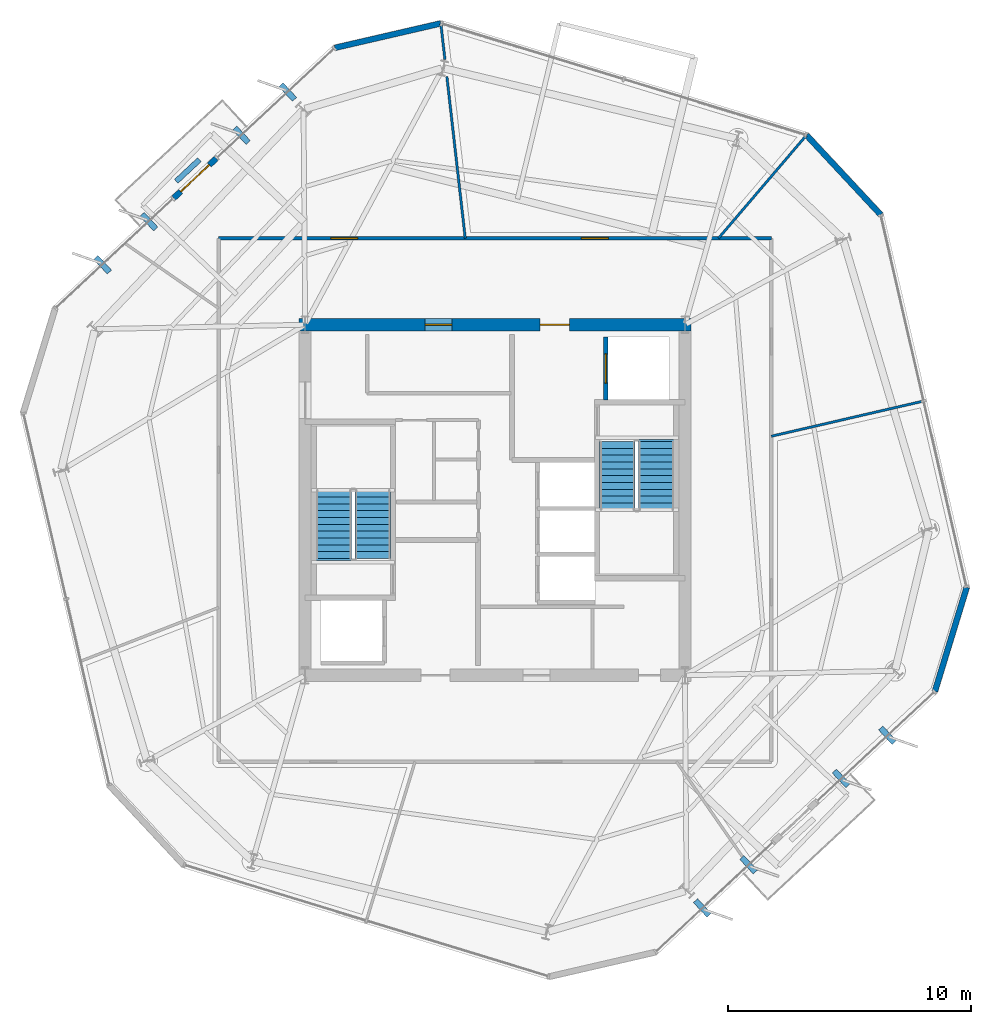
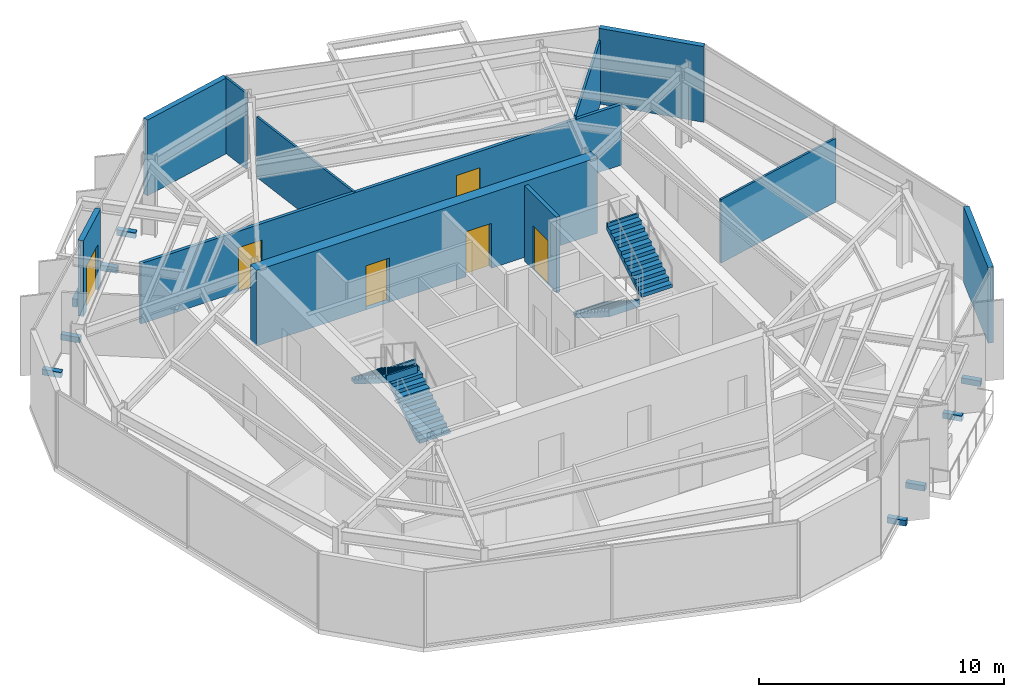
# One storey, part 8 of 11: 12 walls, 8 discrete accessories, 6 doors, 4 stair flights, 6 openings, 2 elements without a shape of their own.
"""IFC4 building model written with IfcOpenShell, lengths in metres."""

from ifc_helpers import new_model, si_unit, direction, frame, frame_2d, origin, origin_2d, place, context, subcontext, project, spatial, polyline, rectangle, outline, extrude, material, layer, layer_set, type_object, element, fill, aggregate, save


model = new_model("IFC4")

# Units and contexts
model_context = context("Model", 3, precision=1e-05, world=origin(), true_north=direction((0.0, 1.0)))
body_context = subcontext(model_context, "Body", "Model", "MODEL_VIEW")
ifc_project = project(units=[si_unit("LENGTHUNIT", "METRE"), si_unit("AREAUNIT", "SQUARE_METRE"), si_unit("VOLUMEUNIT", "CUBIC_METRE"), si_unit("PLANEANGLEUNIT", "RADIAN"), si_unit("MASSUNIT", "GRAM", prefix="KILO")], contexts=[model_context])

# Site, building, storey
site_placement = place(None, origin())
site = spatial("IfcSite", under=ifc_project, at=site_placement, CompositionType="ELEMENT")
building_placement = place(site_placement, origin())
building = spatial("IfcBuilding", under=site, at=building_placement, Name="Kranzbogen Civic Tower", CompositionType="ELEMENT")
storey_placement = place(building_placement, frame((0.0, 0.0, 196.800048828125)))
storey = spatial("IfcBuildingStorey", under=building, at=storey_placement, Name="L47", CompositionType="ELEMENT", Elevation=196.800048828125)

# Wall, openings, doors
ifc_material_1 = material(Name="Double-Stud Acoustic Gypsum Partition")
ifc_layer_1 = layer(ifc_material_1, 0.14990234375, Name="Double-Stud Acoustic Gypsum Partition")
ifc_layer_set_1 = layer_set([ifc_layer_1], Name="Double-Stud Acoustic Gypsum Partition")
wall_type_1 = type_object("IfcWallType", Name="Acoustic Corridor and Clinical Partition 150 mm", PredefinedType="PARTITIONING", material=ifc_layer_set_1)
wall_1_placement = place(storey_placement, frame((13.64990234375, 35.75, 0.0), z_axis=(0.0, 0.0, 1.0), x_axis=(1.0, 0.0, 0.0)))
wall_1 = element("IfcWall", 1, at=wall_1_placement, inside=storey, type_object=wall_type_1, Name="L47 corridor partition 01", PredefinedType="PARTITIONING", context=body_context, shape_type="SweptSolid", body=[
    extrude(rectangle(XDim=22.7001953125, YDim=0.14990234375, at=frame_2d((11.35009765625, 0.0))), origin(), (0.0, 0.0, 1.0), 3.02001953125),
])
opening_1_placement = place(wall_1_placement, frame((14.90087890625, 0.0, 0.0)))
opening_1 = element("IfcOpeningElement", 2, at=opening_1_placement, cuts=wall_1, Name="Opening D-COR60", PredefinedType="OPENING", context=body_context, shape_type="SweptSolid", body=[
    extrude(rectangle(XDim=1.10009765625, YDim=2.199951171875, at=frame_2d((0.550048828125, 1.10009765625))), frame((0.0, 0.0849609375, 0.0), z_axis=(0.0, -1.0, 0.0), x_axis=(1.0, 0.0, 0.0)), (0.0, 0.0, 1.0), 0.169921875),
])
opening_2_placement = place(wall_1_placement, frame((4.60400390625, 0.0, 0.0)))
opening_2 = element("IfcOpeningElement", 3, at=opening_2_placement, cuts=wall_1, Name="Opening D-COR60", PredefinedType="OPENING", context=body_context, shape_type="SweptSolid", body=[
    extrude(rectangle(XDim=1.10009765625, YDim=2.199951171875, at=frame_2d((0.550048828125, 1.10009765625))), frame((0.0, 0.0849609375, 0.0), z_axis=(0.0, -1.0, 0.0), x_axis=(1.0, 0.0, 0.0)), (0.0, 0.0, 1.0), 0.169921875),
])
ifc_material_2 = material(Name="Oak Timber and Fire Core", Category="wood")
door_type_1 = type_object("IfcDoorType", Name="Corridor Acoustic Fire Door 1100x2200", OperationType="NOTDEFINED", PredefinedType="DOOR", material=ifc_material_2)
door_1_placement = place(opening_1_placement, origin())
door_1 = element("IfcDoor", 4, at=door_1_placement, inside=storey, type_object=door_type_1, Name="L47 Licensing Information Kiosk door", OperationType="SINGLE_SWING_RIGHT", OverallHeight=2.199951171875, OverallWidth=1.10009765625, PredefinedType="DOOR", context=body_context, shape_type="SweptSolid", body=[
    extrude(rectangle(XDim=1.10009765625, YDim=2.199951171875, at=frame_2d((0.550048828125, 1.10009765625))), frame((0.0, 0.02490234375, 0.0), z_axis=(0.0, -1.0, 0.0), x_axis=(1.0, 0.0, 0.0)), (0.0, 0.0, 1.0), 0.050048828125),
])
fill(opening_1, door_1)
door_2_placement = place(opening_2_placement, origin())
door_2 = element("IfcDoor", 5, at=door_2_placement, inside=storey, type_object=door_type_1, Name="L47 Ministerial Policy Office door", OperationType="SINGLE_SWING_LEFT", OverallHeight=2.199951171875, OverallWidth=1.10009765625, PredefinedType="DOOR", context=body_context, shape_type="SweptSolid", body=[
    extrude(rectangle(XDim=1.10009765625, YDim=2.199951171875, at=frame_2d((0.550048828125, 1.10009765625))), frame((0.0, 0.02490234375, 0.0), z_axis=(0.0, -1.0, 0.0), x_axis=(1.0, 0.0, 0.0)), (0.0, 0.0, 1.0), 0.050048828125),
])
fill(opening_2, door_2)

# Wall
ifc_material_3 = material(Name="Architectural Precast Terracotta Concrete C40/50", Category="masonry")
ifc_layer_2 = layer(ifc_material_3, 0.219970703125, Name="Architectural Precast Terracotta Concrete C40/50")
ifc_layer_set_2 = layer_set([ifc_layer_2], Name="Architectural Precast Terracotta Concrete C40/50")
wall_type_2 = type_object("IfcWallType", Name="Architectural Tree Planter Kerb Wall 220 mm", PredefinedType="USERDEFINED", material=ifc_layer_set_2)
wall_2_placement = place(storey_placement, frame((12.85498046875, 38.97705078125, 0.0), z_axis=(0.0, 0.0, 1.0), x_axis=(-0.731298971401, -0.682057046315, 0.0)))
element("IfcWall", 6, at=wall_2_placement, inside=storey, type_object=wall_type_2, Name="L47 landscaped tree balcony planter L47-TB1", ObjectType="PLANTER_WALL", PredefinedType="USERDEFINED", context=body_context, shape_type="SweptSolid", body=[
    extrude(rectangle(XDim=1.299072265625, YDim=0.219970703125, at=frame_2d((0.6494140625, 0.0))), origin(), (0.0, 0.0, 1.0), 0.39990234375),
])

# Wall, openings, doors
ifc_material_4 = material(Name="Concrete C45/55", Category="concrete")
ifc_layer_3 = layer(ifc_material_4, 0.5, Name="Concrete C45/55")
ifc_layer_set_3 = layer_set([ifc_layer_3], Name="Concrete C45/55")
wall_type_3 = type_object("IfcWallType", Name="Central Core Shear Wall 500 mm", PredefinedType="SHEAR", material=ifc_layer_set_3)
wall_3_placement = place(storey_placement, frame((33.050048828125, 32.199951171875, 0.0), z_axis=(0.0, 0.0, 1.0), x_axis=(-1.0, 0.0, 0.0)))
wall_3 = element("IfcWall", 7, at=wall_3_placement, inside=storey, type_object=wall_type_3, Name="L47 central core North shear wall", PredefinedType="SHEAR", context=body_context, shape_type="SweptSolid", body=[
    extrude(rectangle(XDim=16.10009765625, YDim=0.5, at=frame_2d((8.050048828125, 0.0))), origin(), (0.0, 0.0, 1.0), 3.780029296875),
])
opening_3_placement = place(wall_3_placement, frame((5.0, 0.0, 0.0)))
opening_3 = element("IfcOpeningElement", 8, at=opening_3_placement, cuts=wall_3, Name="Opening D-EX120", PredefinedType="OPENING", context=body_context, shape_type="SweptSolid", body=[
    extrude(rectangle(XDim=1.199951171875, YDim=2.25, at=frame_2d((0.60009765625, 1.125))), frame((0.0, 0.260009765625, 0.0), z_axis=(0.0, -1.0, 0.0), x_axis=(1.0, 0.0, 0.0)), (0.0, 0.0, 1.0), 0.52001953125),
])
opening_4_placement = place(wall_3_placement, frame((9.824951171875, 0.0, 0.0)))
opening_4 = element("IfcOpeningElement", 9, at=opening_4_placement, cuts=wall_3, Name="Opening D-COR60", PredefinedType="OPENING", context=body_context, shape_type="SweptSolid", body=[
    extrude(rectangle(XDim=1.10009765625, YDim=2.199951171875, at=frame_2d((0.550048828125, 1.10009765625))), frame((0.0, 0.260009765625, 0.0), z_axis=(0.0, -1.0, 0.0), x_axis=(1.0, 0.0, 0.0)), (0.0, 0.0, 1.0), 0.52001953125),
])
door_3_placement = place(opening_4_placement, origin())
door_3 = element("IfcDoor", 10, at=door_3_placement, inside=storey, type_object=door_type_1, Name="L47 DAT1 comms room door", OperationType="SINGLE_SWING_RIGHT", OverallHeight=2.199951171875, OverallWidth=1.10009765625, PredefinedType="DOOR", context=body_context, shape_type="SweptSolid", body=[
    extrude(rectangle(XDim=1.10009765625, YDim=2.199951171875, at=frame_2d((0.550048828125, 1.10009765625))), frame((0.0, 0.02490234375, 0.0), z_axis=(0.0, -1.0, 0.0), x_axis=(1.0, 0.0, 0.0)), (0.0, 0.0, 1.0), 0.050048828125),
])
fill(opening_4, door_3)
ifc_material_5 = material(Name="Steel S355", Category="steel")
door_type_2 = type_object("IfcDoorType", Name="Exit Passageway Fire Door 1200x2250", OperationType="NOTDEFINED", PredefinedType="DOOR", material=ifc_material_5)
door_4_placement = place(opening_3_placement, origin())
door_4 = element("IfcDoor", 11, at=door_4_placement, inside=storey, type_object=door_type_2, Name="L47 East firefighting lobby corridor door", OperationType="SINGLE_SWING_LEFT", OverallHeight=2.25, OverallWidth=1.199951171875, PredefinedType="DOOR", context=body_context, shape_type="SweptSolid", body=[
    extrude(rectangle(XDim=1.199951171875, YDim=2.25, at=frame_2d((0.60009765625, 1.125))), frame((0.0, 0.02490234375, 0.0), z_axis=(0.0, -1.0, 0.0), x_axis=(1.0, 0.0, 0.0)), (0.0, 0.0, 1.0), 0.050048828125),
])
fill(opening_3, door_4)

# Walls
ifc_material_6 = material(Name="Demountable Aluminium and Gypsum Partition", Category="aluminium")
ifc_layer_4 = layer(ifc_material_6, 0.10009765625, Name="Demountable Aluminium and Gypsum Partition")
ifc_layer_set_4 = layer_set([ifc_layer_4], Name="Demountable Aluminium and Gypsum Partition")
wall_type_4 = type_object("IfcWallType", Name="Demountable Office Partition 100 mm", PredefinedType="MOVABLE", material=ifc_layer_set_4)
wall_4_placement = place(storey_placement, frame((23.777099609375, 35.75, 0.0), z_axis=(0.0, 0.0, 1.0), x_axis=(-0.112997397255, 0.993595283913, 0.0)))
element("IfcWall", 12, at=wall_4_placement, inside=storey, type_object=wall_type_4, Name="L47 radial room partition 01 part 1", PredefinedType="MOVABLE", context=body_context, shape_type="SweptSolid", body=[
    extrude(rectangle(XDim=6.6826171875, YDim=0.10009765625, at=frame_2d((3.34130859375, 0.0))), origin(), (0.0, 0.0, 1.0), 3.02001953125),
])
wall_5_placement = place(storey_placement, frame((22.94189453125, 43.090087890625, 0.0), z_axis=(0.0, 0.0, 1.0), x_axis=(-0.112876363415, 0.993609041113, 0.0)))
element("IfcWall", 13, at=wall_5_placement, inside=storey, type_object=wall_type_4, Name="L47 radial room partition 01 part 2", PredefinedType="MOVABLE", context=body_context, shape_type="SweptSolid", body=[
    extrude(rectangle(XDim=1.4794921875, YDim=0.10009765625, at=frame_2d((0.73974609375, 0.0))), origin(), (0.0, 0.0, 1.0), 3.780029296875),
])
wall_6_placement = place(storey_placement, frame((36.35009765625, 27.6201171875, 0.0), z_axis=(0.0, 0.0, 1.0), x_axis=(0.974375135349, 0.224929090188, 0.0)))
element("IfcWall", 14, at=wall_6_placement, inside=storey, type_object=wall_type_4, Name="L47 radial room partition 06", PredefinedType="MOVABLE", context=body_context, shape_type="SweptSolid", body=[
    extrude(rectangle(XDim=6.406005859375, YDim=0.10009765625, at=frame_2d((3.203125, 0.0))), origin(), (0.0, 0.0, 1.0), 3.179931640625),
])
wall_7_placement = place(storey_placement, frame((34.177978515625, 35.75, 0.0), z_axis=(0.0, 0.0, 1.0), x_axis=(0.649254313093, 0.760571388451, 0.0)))
element("IfcWall", 15, at=wall_7_placement, inside=storey, type_object=wall_type_4, Name="L47 radial room partition 07", PredefinedType="MOVABLE", context=body_context, shape_type="SweptSolid", body=[
    extrude(rectangle(XDim=5.551025390625, YDim=0.10009765625, at=frame_2d((2.775390625, 0.0))), origin(), (0.0, 0.0, 1.0), 3.179931640625),
])

# Wall, opening, door
ifc_material_7 = material(Name="Gypsum Fireboard Shaftliner")
ifc_layer_5 = layer(ifc_material_7, 0.175048828125, Name="Gypsum Fireboard Shaftliner")
ifc_layer_set_5 = layer_set([ifc_layer_5], Name="Gypsum Fireboard Shaftliner")
wall_type_5 = type_object("IfcWallType", Name="Fire-Rated Lift and Service Shaft Wall 175 mm", PredefinedType="PARTITIONING", material=ifc_layer_set_5)
wall_8_placement = place(storey_placement, frame((29.550048828125, 29.10009765625, 0.0), z_axis=(0.0, 0.0, 1.0), x_axis=(0.0, 1.0, 0.0)))
wall_8 = element("IfcWall", 16, at=wall_8_placement, inside=storey, type_object=wall_type_5, Name="L47 lift FF-02 landing wall", PredefinedType="PARTITIONING", context=body_context, shape_type="SweptSolid", body=[
    extrude(rectangle(XDim=2.599853515625, YDim=0.175048828125, at=frame_2d((1.2998046875, 0.0))), origin(), (0.0, 0.0, 1.0), 3.780029296875),
])
opening_5_placement = place(wall_8_placement, frame((0.699951171875, 0.0, 0.0)))
opening_5 = element("IfcOpeningElement", 17, at=opening_5_placement, cuts=wall_8, Name="Opening LD-FF-02", PredefinedType="OPENING", context=body_context, shape_type="SweptSolid", body=[
    extrude(rectangle(XDim=1.199951171875, YDim=2.199951171875, at=frame_2d((0.60009765625, 1.10009765625))), frame((0.0, 0.09765625, 0.0), z_axis=(0.0, -1.0, 0.0), x_axis=(1.0, 0.0, 0.0)), (0.0, 0.0, 1.0), 0.195068359375),
])
ifc_material_8 = material(Name="Pale Anodised Aluminium", Category="aluminium")
door_type_3 = type_object("IfcDoorType", Name="Firefighting and Stretcher Lift Sliding Landing Door 1200x2200", OperationType="DOUBLE_DOOR_SLIDING", PredefinedType="DOOR", material=ifc_material_8)
door_5_placement = place(opening_5_placement, origin())
door_5 = element("IfcDoor", 18, at=door_5_placement, inside=storey, type_object=door_type_3, Name="L47 lift FF-02 sliding landing door", OperationType="DOUBLE_DOOR_SLIDING", OverallHeight=2.199951171875, OverallWidth=1.199951171875, PredefinedType="DOOR", context=body_context, shape_type="SweptSolid", body=[
    extrude(rectangle(XDim=1.199951171875, YDim=2.199951171875, at=frame_2d((0.60009765625, 1.10009765625))), frame((0.0, 0.02490234375, 0.0), z_axis=(0.0, -1.0, 0.0), x_axis=(1.0, 0.0, 0.0)), (0.0, 0.0, 1.0), 0.050048828125),
])
fill(opening_5, door_5)

# Wall
ifc_layer_6 = layer(ifc_material_8, 0.239990234375, Name="Pale Anodised Aluminium")
ifc_layer_set_6 = layer_set([ifc_layer_6], Name="Pale Anodised Aluminium")
wall_type_6 = type_object("IfcWallType", Name="Insulated Aluminium Facade Portal Wall 240 mm", PredefinedType="STANDARD", material=ifc_layer_set_6)
wall_9_placement = place(storey_placement, frame((22.77294921875, 44.577880859375, 0.0), z_axis=(0.0, 0.0, 1.0), x_axis=(-0.974385670371, -0.224883448427, 0.0)))
element("IfcWall", 19, at=wall_9_placement, inside=storey, type_object=wall_type_6, Name="L47 chamfered corner facade spandrel 1", PredefinedType="STANDARD", context=body_context, shape_type="SweptSolid", body=[
    extrude(rectangle(XDim=4.468505859375, YDim=0.239990234375, at=frame_2d((2.234375, 0.0))), origin(), (0.0, 0.0, 1.0), 3.780029296875),
])

# Wall, opening, door
wall_10_placement = place(storey_placement, frame((13.552978515625, 39.034912109375, 0.0), z_axis=(0.0, 0.0, 1.0), x_axis=(-0.731451066601, -0.681893933958, 0.0)))
wall_10 = element("IfcWall", 20, at=wall_10_placement, inside=storey, type_object=wall_type_6, Name="L47 exterior entrance portal wall 1", PredefinedType="STANDARD", context=body_context, shape_type="SweptSolid", body=[
    extrude(rectangle(XDim=2.399169921875, YDim=0.239990234375, at=frame_2d((1.19970703125, 0.0))), origin(), (0.0, 0.0, 1.0), 3.780029296875),
])
opening_6_placement = place(wall_10_placement, frame((0.39990234375, 0.0, 0.0)))
opening_6 = element("IfcOpeningElement", 21, at=opening_6_placement, cuts=wall_10, Name="Opening D-TER", PredefinedType="OPENING", context=body_context, shape_type="SweptSolid", body=[
    extrude(rectangle(XDim=1.60009765625, YDim=2.25, at=frame_2d((0.800048828125, 1.125))), frame((0.0, 0.1298828125, 0.0), z_axis=(0.0, -1.0, 0.0), x_axis=(1.0, 0.0, 0.0)), (0.0, 0.0, 1.0), 0.260009765625),
])
ifc_material_9 = material(Name="Anodised Bronze and Triple Glass", Category="glass")
door_type_4 = type_object("IfcDoorType", Name="Glazed Terrace and Balcony Double Door 1600x2250", OperationType="DOUBLE_DOOR_SINGLE_SWING", PredefinedType="DOOR", material=ifc_material_9)
door_6_placement = place(opening_6_placement, frame((1.60009765625, 0.0, 0.0), z_axis=(0.0, 0.0, 1.0), x_axis=(-1.0, 0.0, 0.0)))
door_6 = element("IfcDoor", 22, at=door_6_placement, inside=storey, type_object=door_type_4, Name="L47 tree balcony access door L47-TB1", OperationType="DOUBLE_DOOR_SINGLE_SWING", OverallHeight=2.25, OverallWidth=1.60009765625, PredefinedType="DOOR", context=body_context, shape_type="SweptSolid", body=[
    extrude(rectangle(XDim=1.60009765625, YDim=2.25, at=frame_2d((0.800048828125, 1.125))), frame((0.0, 0.02490234375, 0.0), z_axis=(0.0, -1.0, 0.0), x_axis=(1.0, 0.0, 0.0)), (0.0, 0.0, 1.0), 0.050048828125),
])
fill(opening_6, door_6)

# Walls
wall_11_placement = place(storey_placement, frame((43.069091796875, 17.139892578125, 0.0), z_axis=(0.0, 0.0, 1.0), x_axis=(0.29232266577, 0.956319747301, 0.0)))
element("IfcWall", 23, at=wall_11_placement, inside=storey, type_object=wall_type_6, Name="L47 chamfered corner facade spandrel 5", PredefinedType="STANDARD", context=body_context, shape_type="SweptSolid", body=[
    extrude(rectangle(XDim=4.46728515625, YDim=0.239990234375, at=frame_2d((2.233642578125, 0.0))), origin(), (0.0, 0.0, 1.0), 3.780029296875),
])
wall_12_placement = place(storey_placement, frame((40.841064453125, 36.718017578125, 0.0), z_axis=(0.0, 0.0, 1.0), x_axis=(-0.681950226265, 0.73139858415, 0.0)))
element("IfcWall", 24, at=wall_12_placement, inside=storey, type_object=wall_type_6, Name="L47 chamfered corner facade spandrel 6", PredefinedType="STANDARD", context=body_context, shape_type="SweptSolid", body=[
    extrude(rectangle(XDim=4.46826171875, YDim=0.239990234375, at=frame_2d((2.234130859375, 0.0))), origin(), (0.0, 0.0, 1.0), 3.780029296875),
])

# Stair, stair flights
ifc_material_10 = material(Name="Precast concrete C40/50", Category="concrete")
stair_type_1 = type_object("IfcStairType", Name="Tower Core Pressurized Dogleg Stair 1450", PredefinedType="HALF_TURN_STAIR", material=ifc_material_10)
stair_1_placement = place(storey_placement, origin())
stair_1 = element("IfcStair", 25, at=stair_1_placement, inside=storey, type_object=stair_type_1, Name="L47 Tower Core Pressurized Stair 1", PredefinedType="HALF_TURN_STAIR")
stair_flight_type = type_object("IfcStairFlightType", Name="Precast Concrete Stair Flight R180", PredefinedType="STRAIGHT", material=ifc_material_10)
stair_flight_1_placement = place(storey_placement, frame((19.97509765625, 22.60009765625, 0.0), z_axis=(0.0, 0.0, 1.0), x_axis=(0.0, 1.0, 0.0)))
stair_flight_1 = element("IfcStairFlight", 26, at=stair_flight_1_placement, type_object=stair_flight_type, Name="ST-T1 flight 1", NumberOfRisers=11, NumberOfTreads=10, PredefinedType="STRAIGHT", RiserHeight=0.181818182, TreadLength=0.28, context=body_context, shape_type="SweptSolid", body=[
    extrude(outline(polyline([(0.0, 0.0), (0.0, 0.181884765625), (0.280029296875, 0.181884765625), (0.280029296875, 0.363525390625), (0.56005859375, 0.363525390625), (0.56005859375, 0.54541015625), (0.840087890625, 0.54541015625), (0.840087890625, 0.727294921875), (1.1201171875, 0.727294921875), (1.1201171875, 0.9091796875), (1.39990234375, 0.9091796875), (1.39990234375, 1.0908203125), (1.679931640625, 1.0908203125), (1.679931640625, 1.272705078125), (1.9599609375, 1.272705078125), (1.9599609375, 1.45458984375), (2.239990234375, 1.45458984375), (2.239990234375, 1.636474609375), (2.52001953125, 1.636474609375), (2.52001953125, 1.818115234375), (2.800048828125, 1.818115234375), (2.800048828125, 2.0), (2.880126953125, 2.0), (2.880126953125, 1.639404296875), (0.275146484375, 0.0), (0.0, 0.0)])), frame((0.0, 0.72509765625, 0.0), z_axis=(0.0, -1.0, 0.0), x_axis=(1.0, 0.0, 0.0)), (0.0, 0.0, 1.0), 1.449951171875),
])
stair_flight_2_placement = place(storey_placement, frame((18.375, 25.39990234375, 2.0), z_axis=(0.0, 0.0, 1.0), x_axis=(0.0, -1.0, 0.0)))
stair_flight_2 = element("IfcStairFlight", 27, at=stair_flight_2_placement, type_object=stair_flight_type, Name="ST-T1 flight 2", NumberOfRisers=11, NumberOfTreads=10, PredefinedType="STRAIGHT", RiserHeight=0.181818182, TreadLength=0.28, context=body_context, shape_type="SweptSolid", body=[
    extrude(outline(polyline([(0.0, 0.0), (0.0, 0.181884765625), (0.280029296875, 0.181884765625), (0.280029296875, 0.363525390625), (0.56005859375, 0.363525390625), (0.56005859375, 0.54541015625), (0.840087890625, 0.54541015625), (0.840087890625, 0.727294921875), (1.1201171875, 0.727294921875), (1.1201171875, 0.9091796875), (1.39990234375, 0.9091796875), (1.39990234375, 1.0908203125), (1.679931640625, 1.0908203125), (1.679931640625, 1.272705078125), (1.9599609375, 1.272705078125), (1.9599609375, 1.45458984375), (2.239990234375, 1.45458984375), (2.239990234375, 1.636474609375), (2.52001953125, 1.636474609375), (2.52001953125, 1.818115234375), (2.800048828125, 1.818115234375), (2.800048828125, 2.0), (2.880126953125, 2.0), (2.880126953125, 1.639404296875), (0.275146484375, 0.0), (0.0, 0.0)])), frame((0.0, 0.72509765625, 0.0), z_axis=(0.0, -1.0, 0.0), x_axis=(1.0, 0.0, 0.0)), (0.0, 0.0, 1.0), 1.449951171875),
])
aggregate(stair_1, [stair_flight_1, stair_flight_2])

stair_type_2 = type_object("IfcStairType", Name="Tower Core Secondary Dogleg Stair 1450", PredefinedType="HALF_TURN_STAIR", material=ifc_material_10)
stair_2_placement = place(storey_placement, origin())
stair_2 = element("IfcStair", 28, at=stair_2_placement, inside=storey, type_object=stair_type_2, Name="L47 Tower Core Pressurized Stair 2", PredefinedType="HALF_TURN_STAIR")
stair_flight_3_placement = place(storey_placement, frame((30.02490234375, 27.39990234375, 0.0), z_axis=(0.0, 0.0, 1.0), x_axis=(0.0, -1.0, 0.0)))
stair_flight_3 = element("IfcStairFlight", 29, at=stair_flight_3_placement, type_object=stair_flight_type, Name="ST-T2 flight 1", NumberOfRisers=11, NumberOfTreads=10, PredefinedType="STRAIGHT", RiserHeight=0.181818182, TreadLength=0.28, context=body_context, shape_type="SweptSolid", body=[
    extrude(outline(polyline([(0.0, 0.0), (0.0, 0.181884765625), (0.280029296875, 0.181884765625), (0.280029296875, 0.363525390625), (0.56005859375, 0.363525390625), (0.56005859375, 0.54541015625), (0.840087890625, 0.54541015625), (0.840087890625, 0.727294921875), (1.1201171875, 0.727294921875), (1.1201171875, 0.9091796875), (1.39990234375, 0.9091796875), (1.39990234375, 1.0908203125), (1.679931640625, 1.0908203125), (1.679931640625, 1.272705078125), (1.9599609375, 1.272705078125), (1.9599609375, 1.45458984375), (2.239990234375, 1.45458984375), (2.239990234375, 1.636474609375), (2.52001953125, 1.636474609375), (2.52001953125, 1.818115234375), (2.800048828125, 1.818115234375), (2.800048828125, 2.0), (2.880126953125, 2.0), (2.880126953125, 1.639404296875), (0.275146484375, 0.0), (0.0, 0.0)])), frame((0.0, 0.72509765625, 0.0), z_axis=(0.0, -1.0, 0.0), x_axis=(1.0, 0.0, 0.0)), (0.0, 0.0, 1.0), 1.449951171875),
])
stair_flight_4_placement = place(storey_placement, frame((31.625, 24.60009765625, 2.0), z_axis=(0.0, 0.0, 1.0), x_axis=(0.0, 1.0, 0.0)))
stair_flight_4 = element("IfcStairFlight", 30, at=stair_flight_4_placement, type_object=stair_flight_type, Name="ST-T2 flight 2", NumberOfRisers=11, NumberOfTreads=10, PredefinedType="STRAIGHT", RiserHeight=0.181818182, TreadLength=0.28, context=body_context, shape_type="SweptSolid", body=[
    extrude(outline(polyline([(0.0, 0.0), (0.0, 0.181884765625), (0.280029296875, 0.181884765625), (0.280029296875, 0.363525390625), (0.56005859375, 0.363525390625), (0.56005859375, 0.54541015625), (0.840087890625, 0.54541015625), (0.840087890625, 0.727294921875), (1.1201171875, 0.727294921875), (1.1201171875, 0.9091796875), (1.39990234375, 0.9091796875), (1.39990234375, 1.0908203125), (1.679931640625, 1.0908203125), (1.679931640625, 1.272705078125), (1.9599609375, 1.272705078125), (1.9599609375, 1.45458984375), (2.239990234375, 1.45458984375), (2.239990234375, 1.636474609375), (2.52001953125, 1.636474609375), (2.52001953125, 1.818115234375), (2.800048828125, 1.818115234375), (2.800048828125, 2.0), (2.880126953125, 2.0), (2.880126953125, 1.639404296875), (0.275146484375, 0.0), (0.0, 0.0)])), frame((0.0, 0.72509765625, 0.0), z_axis=(0.0, -1.0, 0.0), x_axis=(1.0, 0.0, 0.0)), (0.0, 0.0, 1.0), 1.449951171875),
])
aggregate(stair_2, [stair_flight_3, stair_flight_4])

# Discrete accessories
discrete_accessory_type = type_object("IfcDiscreteAccessoryType", Name="Structural Curtain-Wall Fin Support Bracket", PredefinedType="BRACKET", material=ifc_material_5)
for number, where, z_axis, x_axis, name in (
    (31, (16.486083984375, 41.7548828125, -0.25), (0.0, 0.0, 1.0), (-0.681998360062, 0.731353701619, 0.0), "L47 facade fin support bracket F2-1"),
    (32, (14.583984375, 39.98095703125, -0.25), (0.0, 0.0, 1.0), (-0.681998360062, 0.731353701619, 0.0), "L47 facade fin support bracket F2-2"),
    (33, (10.781982421875, 36.43505859375, -0.25), (0.0, 0.0, 1.0), (-0.681998360062, 0.731353701619, 0.0), "L47 facade fin support bracket F2-4"),
    (34, (8.8798828125, 34.662109375, -0.25), (0.0, 0.0, 1.0), (-0.681998360062, 0.731353701619, 0.0), "L47 facade fin support bracket F2-5"),
    (35, (33.513916015625, 8.2451171875, -0.25), (0.0, 0.0, 1.0), (0.681998360062, -0.731353701619, 0.0), "L47 facade fin support bracket F5-1"),
    (36, (35.416015625, 10.01904296875, -0.25), (0.0, 0.0, 1.0), (0.681998360062, -0.731353701619, 0.0), "L47 facade fin support bracket F5-2"),
    (37, (39.218017578125, 13.56494140625, -0.25), (0.0, 0.0, 1.0), (0.681998360062, -0.731353701619, 0.0), "L47 facade fin support bracket F5-4"),
    (38, (41.1201171875, 15.337890625, -0.25), (0.0, 0.0, 1.0), (0.681998360062, -0.731353701619, 0.0), "L47 facade fin support bracket F5-5"),
):
    element("IfcDiscreteAccessory", number, at=place(storey_placement, frame(where, z_axis=z_axis, x_axis=x_axis)), inside=storey, type_object=discrete_accessory_type, Name=name, PredefinedType="BRACKET", context=body_context, shape_type="SweptSolid", body=[
        extrude(rectangle(XDim=0.820068359375, YDim=0.239990234375, at=origin_2d()), origin(), (0.0, 0.0, 1.0), 0.280029296875),
    ])

save(model, "model.ifc")
